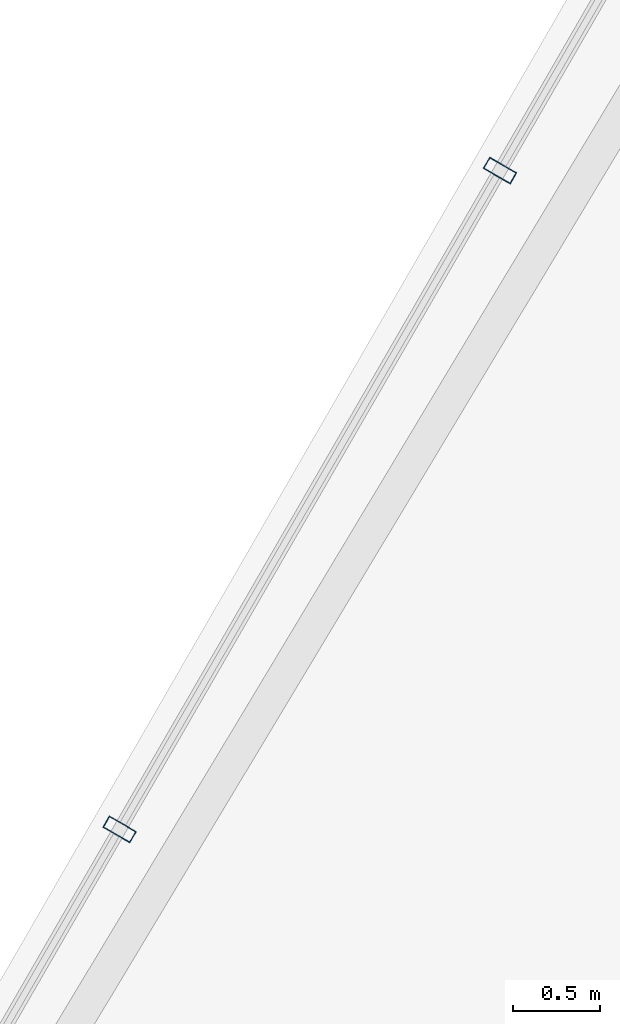
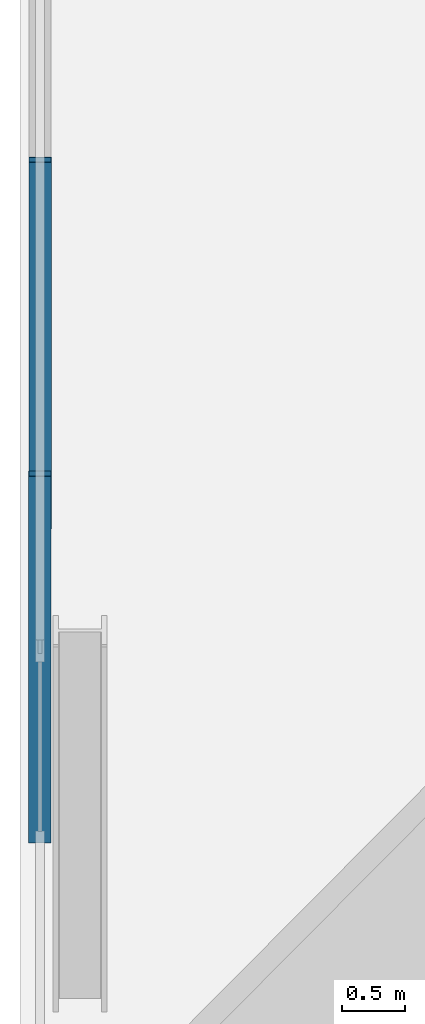
# One storey, part 12 of 29: 2 members, 1 element without a shape of its own.
"""IFC4 building model written with IfcOpenShell, lengths in metres."""

from ifc_helpers import new_model, si_unit, direction, frame, origin, origin_2d, place, context, subcontext, project, spatial, hollow_rectangle, extrude, material, layer, layer_set, material_profile, profile_set, type_object, element, aggregate, save


model = new_model("IFC4")

# Units and contexts
model_context = context("Model", 3, precision=1e-05, world=origin(), true_north=direction((0.0, 1.0)))
body_context = subcontext(model_context, "Body", "Model", "MODEL_VIEW")
ifc_project = project(units=[si_unit("LENGTHUNIT", "METRE"), si_unit("AREAUNIT", "SQUARE_METRE"), si_unit("VOLUMEUNIT", "CUBIC_METRE"), si_unit("PLANEANGLEUNIT", "RADIAN"), si_unit("MASSUNIT", "GRAM", prefix="KILO")], contexts=[model_context])

# Site, building, storey
site_placement = place(None, origin())
site = spatial("IfcSite", under=ifc_project, at=site_placement, CompositionType="ELEMENT")
building_placement = place(site_placement, origin())
building = spatial("IfcBuilding", under=site, at=building_placement, Name="Ndaravel Arena Tower", CompositionType="ELEMENT")
storey_placement = place(building_placement, frame((0.0, 0.0, 244.60009765625)))
storey = spatial("IfcBuildingStorey", under=building, at=storey_placement, Name="L59", CompositionType="ELEMENT", Elevation=244.60009765625)

# Curtain wall, members
ifc_material_1 = material(Name="Aluminium", Category="aluminium")
ifc_layer = layer(ifc_material_1, 0.179931640625)
ifc_layer_set = layer_set([ifc_layer], Name="Aluminium")
curtain_wall_type = type_object("IfcCurtainWallType", Name="CW-SYS-03", PredefinedType="NOTDEFINED", material=ifc_layer_set)
curtain_wall_placement = place(storey_placement, origin())
curtain_wall = element("IfcCurtainWall", 1, at=curtain_wall_placement, inside=storey, type_object=curtain_wall_type, Name="L59 Faceted Crystal Curtain Wall CW-L59-E05", PredefinedType="NOTDEFINED")
ifc_material_2 = material(Name="Aluminium", Category="aluminium")
ifc_material_profile = material_profile(ifc_material_2, hollow_rectangle(XDim=0.074951171875, YDim=0.179931640625, WallThickness=0.00390625, at=origin_2d()), Name="CW MULLION 75x180x4")
ifc_profile_set = profile_set([ifc_material_profile], Name="Aluminium")
member_type = type_object("IfcMemberType", Name="MEM-CW-MUL180", PredefinedType="MULLION", material=ifc_profile_set)
member_1_placement = place(storey_placement, frame((32.13232421875, 33.620361328125, 0.0), z_axis=(0.0, 0.0, 1.0), x_axis=(-0.5, -0.866025403784, 0.0)))
member_1 = element("IfcMember", 2, at=member_1_placement, type_object=member_type, Name="CW-L59-E05 Mullion 03", PredefinedType="MULLION", context=body_context, shape_type="SweptSolid", body=[
    extrude(hollow_rectangle(XDim=0.074951171875, YDim=0.179931640625, WallThickness=0.00390625, at=origin_2d()), origin(), (0.0, 0.0, 1.0), 3.579833984375),
])
member_2_placement = place(storey_placement, frame((29.9443359375, 29.830810546875, 0.0), z_axis=(0.0, 0.0, 1.0), x_axis=(-0.5, -0.866025403784, 0.0)))
member_2 = element("IfcMember", 3, at=member_2_placement, type_object=member_type, Name="CW-L59-E05 Mullion 04", PredefinedType="MULLION", context=body_context, shape_type="SweptSolid", body=[
    extrude(hollow_rectangle(XDim=0.074951171875, YDim=0.179931640625, WallThickness=0.00390625, at=origin_2d()), origin(), (0.0, 0.0, 1.0), 3.579833984375),
])
aggregate(curtain_wall, [member_1, member_2])

save(model, "model.ifc")
